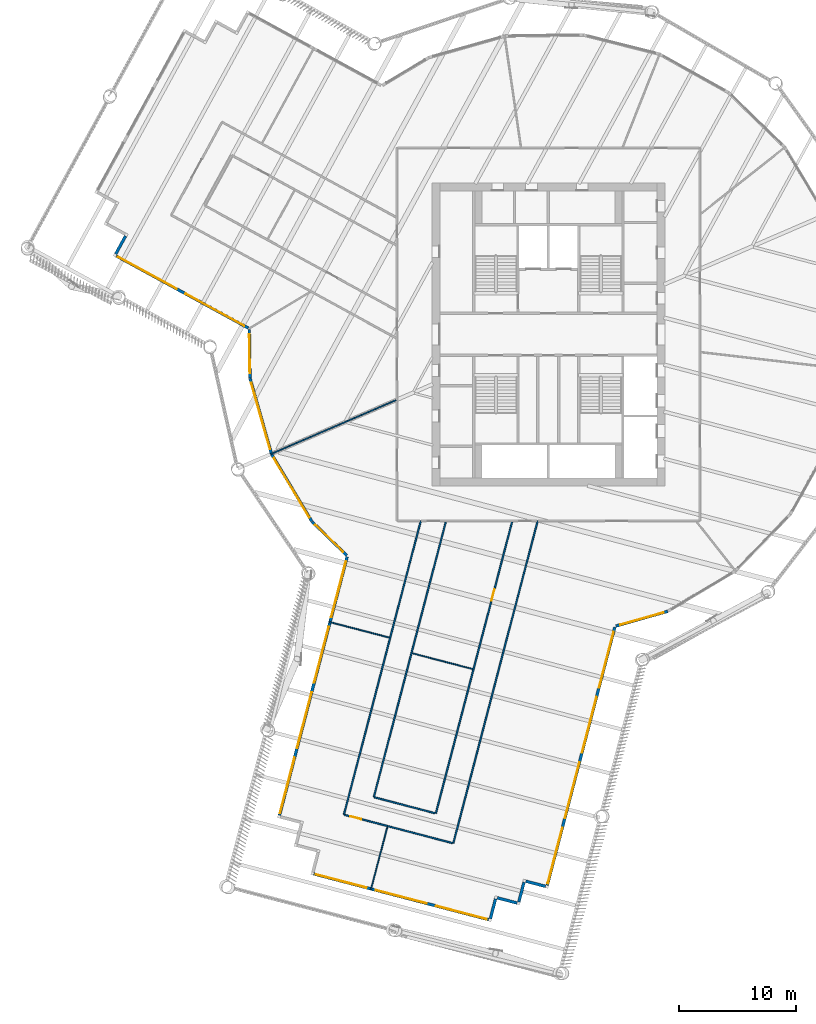
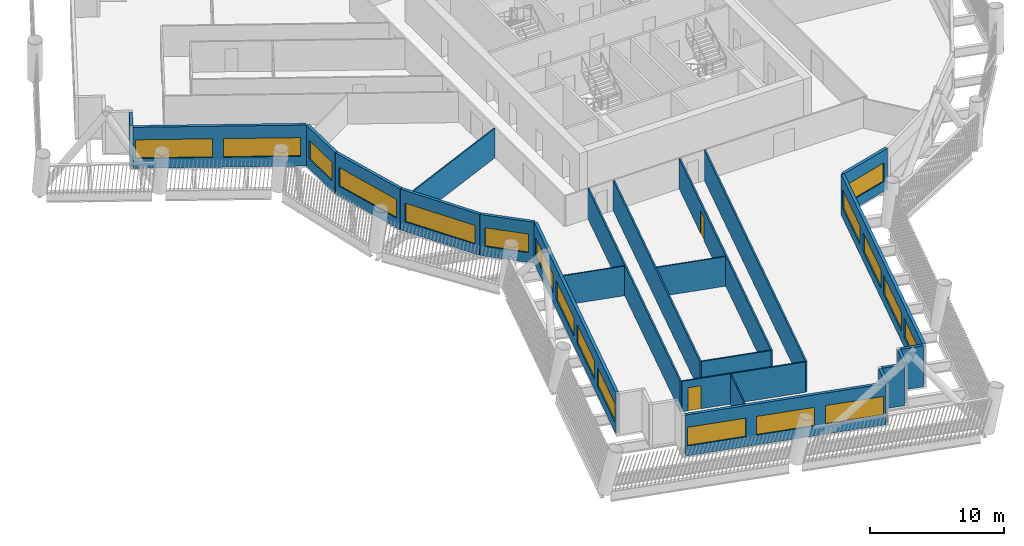
# One storey, part 3 of 24: 24 walls, 18 windows, 2 doors, 20 openings.
"""IFC4 building model written with IfcOpenShell, lengths in metres."""

from ifc_helpers import new_model, si_unit, direction, frame, frame_2d, origin, place, context, subcontext, project, spatial, rectangle, extrude, material, layer, layer_set, type_object, element, fill, save


model = new_model("IFC4")

# Units and contexts
model_context = context("Model", 3, precision=1e-05, world=origin(), true_north=direction((0.0, 1.0)))
body_context = subcontext(model_context, "Body", "Model", "MODEL_VIEW")
ifc_project = project(units=[si_unit("LENGTHUNIT", "METRE"), si_unit("AREAUNIT", "SQUARE_METRE"), si_unit("VOLUMEUNIT", "CUBIC_METRE"), si_unit("PLANEANGLEUNIT", "RADIAN"), si_unit("MASSUNIT", "GRAM", prefix="KILO")], contexts=[model_context])

# Site, building, storey
site_placement = place(None, origin())
site = spatial("IfcSite", under=ifc_project, at=site_placement, CompositionType="ELEMENT")
building_placement = place(site_placement, origin())
building = spatial("IfcBuilding", under=site, at=building_placement, Name="Tarsis Ring Headquarters", CompositionType="ELEMENT")
storey_placement = place(building_placement, frame((0.0, 0.0, 163.199951171875)))
storey = spatial("IfcBuildingStorey", under=building, at=storey_placement, Name="L37", CompositionType="ELEMENT", Elevation=163.199951171875)

# Walls
ifc_material_1 = material(Name="Gypsum board on steel studs", Category="steel")
ifc_layer_1 = layer(ifc_material_1, 0.10009765625)
ifc_layer_set_1 = layer_set([ifc_layer_1], Name="FL partition 100 unrated")
wall_type_1 = type_object("IfcWallType", Name="FL partition 100 unrated", PredefinedType="PARTITIONING", material=ifc_layer_set_1)
wall_1_placement = place(storey_placement, frame((-23.824462890625, -10.2802734375, 0.0), z_axis=(0.0, 0.0, 1.0), x_axis=(0.918165112894, 0.396197962468, 0.0)))
element("IfcWall", 1, at=wall_1_placement, inside=storey, type_object=wall_type_1, Name="Partition PW3", PredefinedType="PARTITIONING", context=body_context, shape_type="SweptSolid", body=[
    extrude(rectangle(XDim=11.709228515625, YDim=0.10009765625, at=frame_2d((5.8544921875, 0.0))), origin(), (0.0, 0.0, 1.0), 2.699951171875),
])
wall_2_placement = place(storey_placement, frame((-11.67333984375, -27.356201171875, 0.0), z_axis=(0.0, 0.0, 1.0), x_axis=(0.967437577181, -0.253109727702, 0.0)))
element("IfcWall", 2, at=wall_2_placement, inside=storey, type_object=wall_type_1, Name="Partition PW3", PredefinedType="PARTITIONING", context=body_context, shape_type="SweptSolid", body=[
    extrude(rectangle(XDim=5.360107421875, YDim=0.10009765625, at=frame_2d((2.68017578125, 0.0))), origin(), (0.0, 0.0, 1.0), 2.699951171875),
])
wall_3_placement = place(storey_placement, frame((-15.224609375, -47.648193359375, 0.0), z_axis=(0.0, 0.0, 1.0), x_axis=(0.253063025173, 0.967449794713, 0.0)))
element("IfcWall", 3, at=wall_3_placement, inside=storey, type_object=wall_type_1, Name="Partition PW3", PredefinedType="PARTITIONING", context=body_context, shape_type="SweptSolid", body=[
    extrude(rectangle(XDim=5.580078125, YDim=0.10009765625, at=frame_2d((2.7900390625, 0.0))), origin(), (0.0, 0.0, 1.0), 2.699951171875),
])
wall_4_placement = place(storey_placement, frame((-18.80419921875, -24.663818359375, 0.0), z_axis=(0.0, 0.0, 1.0), x_axis=(0.967441286047, -0.253095551229, 0.0)))
element("IfcWall", 4, at=wall_4_placement, inside=storey, type_object=wall_type_1, Name="Partition PW3", PredefinedType="PARTITIONING", context=body_context, shape_type="SweptSolid", body=[
    extrude(rectangle(XDim=5.340087890625, YDim=0.10009765625, at=frame_2d((2.669921875, 0.0))), origin(), (0.0, 0.0, 1.0), 2.699951171875),
])
ifc_layer_2 = layer(ifc_material_1, 0.125)
ifc_layer_set_2 = layer_set([ifc_layer_2], Name="FL partition 125 EI 60 H2770")
wall_type_2 = type_object("IfcWallType", Name="FL partition 125 EI 60 H2770", PredefinedType="PARTITIONING", material=ifc_layer_set_2)
wall_5_placement = place(storey_placement, frame((-8.154296875, -43.657470703125, 0.0), z_axis=(0.0, 0.0, 1.0), x_axis=(0.253080621918, 0.967445191631, 0.0)))
element("IfcWall", 5, at=wall_5_placement, inside=storey, type_object=wall_type_2, Name="Partition PW1", PredefinedType="PARTITIONING", context=body_context, shape_type="SweptSolid", body=[
    extrude(rectangle(XDim=28.588134765625, YDim=0.125, at=frame_2d((14.2939453125, 0.0))), origin(), (0.0, 0.0, 1.0), 2.77001953125),
])
wall_6_placement = place(storey_placement, frame((-17.53857421875, -41.20263671875, 0.0), z_axis=(0.0, 0.0, 1.0), x_axis=(0.253074976594, 0.967446668412, 0.0)))
element("IfcWall", 6, at=wall_6_placement, inside=storey, type_object=wall_type_2, Name="Partition PW1", PredefinedType="PARTITIONING", context=body_context, shape_type="SweptSolid", body=[
    extrude(rectangle(XDim=26.05078125, YDim=0.125, at=frame_2d((13.025390625, 0.0))), origin(), (0.0, 0.0, 1.0), 2.77001953125),
])

# Wall, opening, door
wall_7_placement = place(storey_placement, frame((-9.654541015625, -41.094482421875, 0.0), z_axis=(0.0, 0.0, 1.0), x_axis=(0.25308212425, 0.967444798624, 0.0)))
wall_7 = element("IfcWall", 7, at=wall_7_placement, inside=storey, type_object=wall_type_2, Name="Partition PW1", PredefinedType="PARTITIONING", context=body_context, shape_type="SweptSolid", body=[
    extrude(rectangle(XDim=25.85888671875, YDim=0.125, at=frame_2d((12.929443359375, 0.0))), origin(), (0.0, 0.0, 1.0), 2.77001953125),
])
opening_1_placement = place(wall_7_placement, frame((18.861328125, 0.0, 0.0)))
opening_1 = element("IfcOpeningElement", 8, at=opening_1_placement, cuts=wall_7, Name="Opening D37.13", PredefinedType="OPENING", context=body_context, shape_type="SweptSolid", body=[
    extrude(rectangle(XDim=1.0, YDim=2.10009765625, at=frame_2d((0.5, 1.050048828125))), frame((0.0, 0.072509765625, 0.0), z_axis=(0.0, -1.0, 0.0), x_axis=(1.0, 0.0, 0.0)), (0.0, 0.0, 1.0), 0.14501953125),
])
ifc_material_2 = material(Name="Fire-rated timber door leaf in steel frame", Category="steel")
door_type = type_object("IfcDoorType", Name="FL door FD60-1000", OperationType="NOTDEFINED", PredefinedType="DOOR", material=ifc_material_2)
door_1_placement = place(opening_1_placement, origin())
door_1 = element("IfcDoor", 9, at=door_1_placement, inside=storey, type_object=door_type, Name="Door D37.13", OperationType="SINGLE_SWING_RIGHT", OverallHeight=2.10009765625, OverallWidth=1.0, PredefinedType="DOOR", context=body_context, shape_type="SweptSolid", body=[
    extrude(rectangle(XDim=1.0, YDim=2.10009765625, at=frame_2d((0.5, 1.050048828125))), frame((0.0, 0.02490234375, 0.0), z_axis=(0.0, -1.0, 0.0), x_axis=(1.0, 0.0, 0.0)), (0.0, 0.0, 1.0), 0.050048828125),
])
fill(opening_1, door_1)

# Wall
wall_8_placement = place(storey_placement, frame((-14.9755859375, -39.702392578125, 0.0), z_axis=(0.0, 0.0, 1.0), x_axis=(0.253088063655, 0.967443244865, 0.0)))
element("IfcWall", 10, at=wall_8_placement, inside=storey, type_object=wall_type_2, Name="Partition PW1", PredefinedType="PARTITIONING", context=body_context, shape_type="SweptSolid", body=[
    extrude(rectangle(XDim=24.419921875, YDim=0.125, at=frame_2d((12.2099609375, 0.0))), origin(), (0.0, 0.0, 1.0), 2.77001953125),
])

# Wall, opening, door
wall_9_placement = place(storey_placement, frame((-17.480712890625, -41.2177734375, 0.0), z_axis=(0.0, 0.0, 1.0), x_axis=(0.967445200994, -0.253080586125, 0.0)))
wall_9 = element("IfcWall", 11, at=wall_9_placement, inside=storey, type_object=wall_type_2, Name="Partition PW1", PredefinedType="PARTITIONING", context=body_context, shape_type="SweptSolid", body=[
    extrude(rectangle(XDim=9.580078125, YDim=0.125, at=frame_2d((4.7900390625, 0.0))), origin(), (0.0, 0.0, 1.0), 2.77001953125),
])
opening_2_placement = place(wall_9_placement, frame((0.489990234375, 0.0, 0.0)))
opening_2 = element("IfcOpeningElement", 12, at=opening_2_placement, cuts=wall_9, Name="Opening D37.08", PredefinedType="OPENING", context=body_context, shape_type="SweptSolid", body=[
    extrude(rectangle(XDim=1.0, YDim=2.10009765625, at=frame_2d((0.5, 1.050048828125))), frame((0.0, 0.072509765625, 0.0), z_axis=(0.0, -1.0, 0.0), x_axis=(1.0, 0.0, 0.0)), (0.0, 0.0, 1.0), 0.14501953125),
])
door_2_placement = place(opening_2_placement, origin())
door_2 = element("IfcDoor", 13, at=door_2_placement, inside=storey, type_object=door_type, Name="Door D37.08", OperationType="SINGLE_SWING_LEFT", OverallHeight=2.10009765625, OverallWidth=1.0, PredefinedType="DOOR", context=body_context, shape_type="SweptSolid", body=[
    extrude(rectangle(XDim=1.0, YDim=2.10009765625, at=frame_2d((0.5, 1.050048828125))), frame((0.0, 0.02490234375, 0.0), z_axis=(0.0, -1.0, 0.0), x_axis=(1.0, 0.0, 0.0)), (0.0, 0.0, 1.0), 0.050048828125),
])
fill(opening_2, door_2)

# Wall
wall_10_placement = place(storey_placement, frame((-14.91748046875, -39.7177734375, 0.0), z_axis=(0.0, 0.0, 1.0), x_axis=(0.967456117252, -0.253038853126, 0.0)))
element("IfcWall", 14, at=wall_10_placement, inside=storey, type_object=wall_type_2, Name="Partition PW1", PredefinedType="PARTITIONING", context=body_context, shape_type="SweptSolid", body=[
    extrude(rectangle(XDim=5.3798828125, YDim=0.125, at=frame_2d((2.68994140625, 0.0))), origin(), (0.0, 0.0, 1.0), 2.77001953125),
])

# Wall, openings, windows
ifc_material_3 = material(Name="Terracotta clad insulated panel wall", Category="masonry")
ifc_layer_3 = layer(ifc_material_3, 0.25)
ifc_layer_set_3 = layer_set([ifc_layer_3], Name="Facade wall terracotta panel 250")
wall_type_3 = type_object("IfcWallType", Name="Facade wall terracotta panel 250", PredefinedType="STANDARD", material=ifc_layer_set_3)
wall_11_placement = place(storey_placement, frame((-37.0654296875, 6.72607421875, 0.0), z_axis=(0.0, 0.0, 1.0), x_axis=(0.877482963238, -0.479607807721, 0.0)))
wall_11 = element("IfcWall", 15, at=wall_11_placement, inside=storey, type_object=wall_type_3, Name="External wall L37-01", PredefinedType="STANDARD", context=body_context, shape_type="SweptSolid", body=[
    extrude(rectangle(XDim=12.922119140625, YDim=0.25, at=frame_2d((6.4609375, 0.0))), origin(), (0.0, 0.0, 1.0), 3.739990234375),
])
opening_3_placement = place(wall_11_placement, frame((0.16796875, 0.0, 0.89990234375)))
opening_3 = element("IfcOpeningElement", 16, at=opening_3_placement, cuts=wall_11, Name="Opening WN06", PredefinedType="OPENING", context=body_context, shape_type="SweptSolid", body=[
    extrude(rectangle(XDim=5.75, YDim=1.699951171875, at=frame_2d((2.875, 0.85009765625))), frame((0.0, 0.135009765625, 0.0), z_axis=(0.0, -1.0, 0.0), x_axis=(1.0, 0.0, 0.0)), (0.0, 0.0, 1.0), 0.27001953125),
])
opening_4_placement = place(wall_11_placement, frame((6.75390625, 0.0, 0.89990234375)))
opening_4 = element("IfcOpeningElement", 17, at=opening_4_placement, cuts=wall_11, Name="Opening WN06", PredefinedType="OPENING", context=body_context, shape_type="SweptSolid", body=[
    extrude(rectangle(XDim=5.75, YDim=1.699951171875, at=frame_2d((2.875, 0.85009765625))), frame((0.0, 0.135009765625, 0.0), z_axis=(0.0, -1.0, 0.0), x_axis=(1.0, 0.0, 0.0)), (0.0, 0.0, 1.0), 0.27001953125),
])
ifc_material_4 = material(Name="Aluminium framed double glazing", Category="aluminium")
window_type_1 = type_object("IfcWindowType", Name="Facade window 5750 x 1700", PartitioningType="SINGLE_PANEL", PredefinedType="WINDOW", material=ifc_material_4)
window_1_placement = place(opening_3_placement, origin())
window_1 = element("IfcWindow", 18, at=window_1_placement, inside=storey, type_object=window_type_1, Name="Window L37-01.1", OverallHeight=1.699951171875, OverallWidth=5.75, PartitioningType="SINGLE_PANEL", PredefinedType="WINDOW", context=body_context, shape_type="SweptSolid", body=[
    extrude(rectangle(XDim=5.75, YDim=1.699951171875, at=frame_2d((2.875, 0.85009765625))), frame((0.0, 0.030029296875, 0.0), z_axis=(0.0, -1.0, 0.0), x_axis=(1.0, 0.0, 0.0)), (0.0, 0.0, 1.0), 0.06005859375),
])
fill(opening_3, window_1)
window_2_placement = place(opening_4_placement, origin())
window_2 = element("IfcWindow", 19, at=window_2_placement, inside=storey, type_object=window_type_1, Name="Window L37-01.2", OverallHeight=1.699951171875, OverallWidth=5.75, PartitioningType="SINGLE_PANEL", PredefinedType="WINDOW", context=body_context, shape_type="SweptSolid", body=[
    extrude(rectangle(XDim=5.75, YDim=1.699951171875, at=frame_2d((2.875, 0.85009765625))), frame((0.0, 0.030029296875, 0.0), z_axis=(0.0, -1.0, 0.0), x_axis=(1.0, 0.0, 0.0)), (0.0, 0.0, 1.0), 0.06005859375),
])
fill(opening_4, window_2)

# Wall, opening, window
wall_12_placement = place(storey_placement, frame((-25.661376953125, 0.420654296875, 0.0), z_axis=(0.0, 0.0, 1.0), x_axis=(0.014621410751, -0.99989310146, 0.0)))
wall_12 = element("IfcWall", 20, at=wall_12_placement, inside=storey, type_object=wall_type_3, Name="External wall L37-02", PredefinedType="STANDARD", context=body_context, shape_type="SweptSolid", body=[
    extrude(rectangle(XDim=4.15771484375, YDim=0.25, at=frame_2d((2.078857421875, 0.0))), origin(), (0.0, 0.0, 1.0), 3.739990234375),
])
opening_5_placement = place(wall_12_placement, frame((0.420166015625, 0.0, 0.89990234375)))
opening_5 = element("IfcOpeningElement", 21, at=opening_5_placement, cuts=wall_12, Name="Opening WN01", PredefinedType="OPENING", context=body_context, shape_type="SweptSolid", body=[
    extrude(rectangle(XDim=3.35009765625, YDim=1.699951171875, at=frame_2d((1.675048828125, 0.85009765625))), frame((0.0, 0.135009765625, 0.0), z_axis=(0.0, -1.0, 0.0), x_axis=(1.0, 0.0, 0.0)), (0.0, 0.0, 1.0), 0.27001953125),
])
window_type_2 = type_object("IfcWindowType", Name="Facade window 3350 x 1700", PartitioningType="SINGLE_PANEL", PredefinedType="WINDOW", material=ifc_material_4)
window_3_placement = place(opening_5_placement, origin())
window_3 = element("IfcWindow", 22, at=window_3_placement, inside=storey, type_object=window_type_2, Name="Window L37-02.1", OverallHeight=1.699951171875, OverallWidth=3.35009765625, PartitioningType="SINGLE_PANEL", PredefinedType="WINDOW", context=body_context, shape_type="SweptSolid", body=[
    extrude(rectangle(XDim=3.35009765625, YDim=1.699951171875, at=frame_2d((1.675048828125, 0.85009765625))), frame((0.0, 0.030029296875, 0.0), z_axis=(0.0, -1.0, 0.0), x_axis=(1.0, 0.0, 0.0)), (0.0, 0.0, 1.0), 0.06005859375),
])
fill(opening_5, window_3)

wall_13_placement = place(storey_placement, frame((-25.595703125, -3.768798828125, 0.0), z_axis=(0.0, 0.0, 1.0), x_axis=(0.272926460476, -0.962034899144, 0.0)))
wall_13 = element("IfcWall", 23, at=wall_13_placement, inside=storey, type_object=wall_type_3, Name="External wall L37-03", PredefinedType="STANDARD", context=body_context, shape_type="SweptSolid", body=[
    extrude(rectangle(XDim=6.721435546875, YDim=0.25, at=frame_2d((3.36083984375, 0.0))), origin(), (0.0, 0.0, 1.0), 3.739990234375),
])
opening_6_placement = place(wall_13_placement, frame((0.3857421875, 0.0, 0.89990234375)))
opening_6 = element("IfcOpeningElement", 24, at=opening_6_placement, cuts=wall_13, Name="Opening WN07", PredefinedType="OPENING", context=body_context, shape_type="SweptSolid", body=[
    extrude(rectangle(XDim=5.949951171875, YDim=1.699951171875, at=frame_2d((2.97509765625, 0.85009765625))), frame((0.0, 0.135009765625, 0.0), z_axis=(0.0, -1.0, 0.0), x_axis=(1.0, 0.0, 0.0)), (0.0, 0.0, 1.0), 0.27001953125),
])
window_type_3 = type_object("IfcWindowType", Name="Facade window 5950 x 1700", PartitioningType="SINGLE_PANEL", PredefinedType="WINDOW", material=ifc_material_4)
window_4_placement = place(opening_6_placement, origin())
window_4 = element("IfcWindow", 25, at=window_4_placement, inside=storey, type_object=window_type_3, Name="Window L37-03.1", OverallHeight=1.699951171875, OverallWidth=5.949951171875, PartitioningType="SINGLE_PANEL", PredefinedType="WINDOW", context=body_context, shape_type="SweptSolid", body=[
    extrude(rectangle(XDim=5.949951171875, YDim=1.699951171875, at=frame_2d((2.97509765625, 0.85009765625))), frame((0.0, 0.030029296875, 0.0), z_axis=(0.0, -1.0, 0.0), x_axis=(1.0, 0.0, 0.0)), (0.0, 0.0, 1.0), 0.06005859375),
])
fill(opening_6, window_4)

wall_14_placement = place(storey_placement, frame((-23.748291015625, -10.26513671875, 0.0), z_axis=(0.0, 0.0, 1.0), x_axis=(0.512657078288, -0.858593454483, 0.0)))
wall_14 = element("IfcWall", 26, at=wall_14_placement, inside=storey, type_object=wall_type_3, Name="External wall L37-04", PredefinedType="STANDARD", context=body_context, shape_type="SweptSolid", body=[
    extrude(rectangle(XDim=6.721435546875, YDim=0.25, at=frame_2d((3.36083984375, 0.0))), origin(), (0.0, 0.0, 1.0), 3.739990234375),
])
opening_7_placement = place(wall_14_placement, frame((0.3857421875, 0.0, 0.89990234375)))
opening_7 = element("IfcOpeningElement", 27, at=opening_7_placement, cuts=wall_14, Name="Opening WN07", PredefinedType="OPENING", context=body_context, shape_type="SweptSolid", body=[
    extrude(rectangle(XDim=5.949951171875, YDim=1.699951171875, at=frame_2d((2.97509765625, 0.85009765625))), frame((0.0, 0.135009765625, 0.0), z_axis=(0.0, -1.0, 0.0), x_axis=(1.0, 0.0, 0.0)), (0.0, 0.0, 1.0), 0.27001953125),
])
window_5_placement = place(opening_7_placement, origin())
window_5 = element("IfcWindow", 28, at=window_5_placement, inside=storey, type_object=window_type_3, Name="Window L37-04.1", OverallHeight=1.699951171875, OverallWidth=5.949951171875, PartitioningType="SINGLE_PANEL", PredefinedType="WINDOW", context=body_context, shape_type="SweptSolid", body=[
    extrude(rectangle(XDim=5.949951171875, YDim=1.699951171875, at=frame_2d((2.97509765625, 0.85009765625))), frame((0.0, 0.030029296875, 0.0), z_axis=(0.0, -1.0, 0.0), x_axis=(1.0, 0.0, 0.0)), (0.0, 0.0, 1.0), 0.06005859375),
])
fill(opening_7, window_5)

wall_15_placement = place(storey_placement, frame((-20.2822265625, -16.061767578125, 0.0), z_axis=(0.0, 0.0, 1.0), x_axis=(0.717395086707, -0.696666555512, 0.0)))
wall_15 = element("IfcWall", 29, at=wall_15_placement, inside=storey, type_object=wall_type_3, Name="External wall L37-05", PredefinedType="STANDARD", context=body_context, shape_type="SweptSolid", body=[
    extrude(rectangle(XDim=4.15771484375, YDim=0.25, at=frame_2d((2.078857421875, 0.0))), origin(), (0.0, 0.0, 1.0), 3.739990234375),
])
opening_8_placement = place(wall_15_placement, frame((0.38720703125, 0.0, 0.89990234375)))
opening_8 = element("IfcOpeningElement", 30, at=opening_8_placement, cuts=wall_15, Name="Opening WN01", PredefinedType="OPENING", context=body_context, shape_type="SweptSolid", body=[
    extrude(rectangle(XDim=3.35009765625, YDim=1.699951171875, at=frame_2d((1.675048828125, 0.85009765625))), frame((0.0, 0.135009765625, 0.0), z_axis=(0.0, -1.0, 0.0), x_axis=(1.0, 0.0, 0.0)), (0.0, 0.0, 1.0), 0.27001953125),
])
window_6_placement = place(opening_8_placement, origin())
window_6 = element("IfcWindow", 31, at=window_6_placement, inside=storey, type_object=window_type_2, Name="Window L37-05.1", OverallHeight=1.699951171875, OverallWidth=3.35009765625, PartitioningType="SINGLE_PANEL", PredefinedType="WINDOW", context=body_context, shape_type="SweptSolid", body=[
    extrude(rectangle(XDim=3.35009765625, YDim=1.699951171875, at=frame_2d((1.675048828125, 0.85009765625))), frame((0.0, 0.030029296875, 0.0), z_axis=(0.0, -1.0, 0.0), x_axis=(1.0, 0.0, 0.0)), (0.0, 0.0, 1.0), 0.06005859375),
])
fill(opening_8, window_6)

# Wall, openings, windows
wall_16_placement = place(storey_placement, frame((-17.265869140625, -19.07958984375, 0.0), z_axis=(0.0, 0.0, 1.0), x_axis=(-0.253079583542, -0.967445463266, 0.0)))
wall_16 = element("IfcWall", 32, at=wall_16_placement, inside=storey, type_object=wall_type_3, Name="External wall L37-06", PredefinedType="STANDARD", context=body_context, shape_type="SweptSolid", body=[
    extrude(rectangle(XDim=22.921630859375, YDim=0.25, at=frame_2d((11.4609375, 0.0))), origin(), (0.0, 0.0, 1.0), 3.739990234375),
])
opening_9_placement = place(wall_16_placement, frame((0.42138671875, 0.0, 0.89990234375)))
opening_9 = element("IfcOpeningElement", 33, at=opening_9_placement, cuts=wall_16, Name="Opening WN05", PredefinedType="OPENING", context=body_context, shape_type="SweptSolid", body=[
    extrude(rectangle(XDim=4.949951171875, YDim=1.699951171875, at=frame_2d((2.47509765625, 0.85009765625))), frame((0.0, 0.135009765625, 0.0), z_axis=(0.0, -1.0, 0.0), x_axis=(1.0, 0.0, 0.0)), (0.0, 0.0, 1.0), 0.27001953125),
])
opening_10_placement = place(wall_16_placement, frame((6.214599609375, 0.0, 0.89990234375)))
opening_10 = element("IfcOpeningElement", 34, at=opening_10_placement, cuts=wall_16, Name="Opening WN05", PredefinedType="OPENING", context=body_context, shape_type="SweptSolid", body=[
    extrude(rectangle(XDim=4.949951171875, YDim=1.699951171875, at=frame_2d((2.47509765625, 0.85009765625))), frame((0.0, 0.135009765625, 0.0), z_axis=(0.0, -1.0, 0.0), x_axis=(1.0, 0.0, 0.0)), (0.0, 0.0, 1.0), 0.27001953125),
])
opening_11_placement = place(wall_16_placement, frame((12.007568359375, 0.0, 0.89990234375)))
opening_11 = element("IfcOpeningElement", 35, at=opening_11_placement, cuts=wall_16, Name="Opening WN05", PredefinedType="OPENING", context=body_context, shape_type="SweptSolid", body=[
    extrude(rectangle(XDim=4.949951171875, YDim=1.699951171875, at=frame_2d((2.47509765625, 0.85009765625))), frame((0.0, 0.135009765625, 0.0), z_axis=(0.0, -1.0, 0.0), x_axis=(1.0, 0.0, 0.0)), (0.0, 0.0, 1.0), 0.27001953125),
])
opening_12_placement = place(wall_16_placement, frame((17.800537109375, 0.0, 0.89990234375)))
opening_12 = element("IfcOpeningElement", 36, at=opening_12_placement, cuts=wall_16, Name="Opening WN05", PredefinedType="OPENING", context=body_context, shape_type="SweptSolid", body=[
    extrude(rectangle(XDim=4.949951171875, YDim=1.699951171875, at=frame_2d((2.47509765625, 0.85009765625))), frame((0.0, 0.135009765625, 0.0), z_axis=(0.0, -1.0, 0.0), x_axis=(1.0, 0.0, 0.0)), (0.0, 0.0, 1.0), 0.27001953125),
])
window_type_4 = type_object("IfcWindowType", Name="Facade window 4950 x 1700", PartitioningType="SINGLE_PANEL", PredefinedType="WINDOW", material=ifc_material_4)
window_7_placement = place(opening_9_placement, origin())
window_7 = element("IfcWindow", 37, at=window_7_placement, inside=storey, type_object=window_type_4, Name="Window L37-06.1", OverallHeight=1.699951171875, OverallWidth=4.949951171875, PartitioningType="SINGLE_PANEL", PredefinedType="WINDOW", context=body_context, shape_type="SweptSolid", body=[
    extrude(rectangle(XDim=4.949951171875, YDim=1.699951171875, at=frame_2d((2.47509765625, 0.85009765625))), frame((0.0, 0.030029296875, 0.0), z_axis=(0.0, -1.0, 0.0), x_axis=(1.0, 0.0, 0.0)), (0.0, 0.0, 1.0), 0.06005859375),
])
fill(opening_9, window_7)
window_8_placement = place(opening_10_placement, origin())
window_8 = element("IfcWindow", 38, at=window_8_placement, inside=storey, type_object=window_type_4, Name="Window L37-06.2", OverallHeight=1.699951171875, OverallWidth=4.949951171875, PartitioningType="SINGLE_PANEL", PredefinedType="WINDOW", context=body_context, shape_type="SweptSolid", body=[
    extrude(rectangle(XDim=4.949951171875, YDim=1.699951171875, at=frame_2d((2.47509765625, 0.85009765625))), frame((0.0, 0.030029296875, 0.0), z_axis=(0.0, -1.0, 0.0), x_axis=(1.0, 0.0, 0.0)), (0.0, 0.0, 1.0), 0.06005859375),
])
fill(opening_10, window_8)
window_9_placement = place(opening_11_placement, origin())
window_9 = element("IfcWindow", 39, at=window_9_placement, inside=storey, type_object=window_type_4, Name="Window L37-06.3", OverallHeight=1.699951171875, OverallWidth=4.949951171875, PartitioningType="SINGLE_PANEL", PredefinedType="WINDOW", context=body_context, shape_type="SweptSolid", body=[
    extrude(rectangle(XDim=4.949951171875, YDim=1.699951171875, at=frame_2d((2.47509765625, 0.85009765625))), frame((0.0, 0.030029296875, 0.0), z_axis=(0.0, -1.0, 0.0), x_axis=(1.0, 0.0, 0.0)), (0.0, 0.0, 1.0), 0.06005859375),
])
fill(opening_11, window_9)
window_10_placement = place(opening_12_placement, origin())
window_10 = element("IfcWindow", 40, at=window_10_placement, inside=storey, type_object=window_type_4, Name="Window L37-06.4", OverallHeight=1.699951171875, OverallWidth=4.949951171875, PartitioningType="SINGLE_PANEL", PredefinedType="WINDOW", context=body_context, shape_type="SweptSolid", body=[
    extrude(rectangle(XDim=4.949951171875, YDim=1.699951171875, at=frame_2d((2.47509765625, 0.85009765625))), frame((0.0, 0.030029296875, 0.0), z_axis=(0.0, -1.0, 0.0), x_axis=(1.0, 0.0, 0.0)), (0.0, 0.0, 1.0), 0.06005859375),
])
fill(opening_12, window_10)

wall_17_placement = place(storey_placement, frame((-20.1201171875, -46.289794921875, 0.0), z_axis=(0.0, 0.0, 1.0), x_axis=(0.967443419865, -0.253087394708, 0.0)))
wall_17 = element("IfcWall", 41, at=wall_17_placement, inside=storey, type_object=wall_type_3, Name="External wall L37-11", PredefinedType="STANDARD", context=body_context, shape_type="SweptSolid", body=[
    extrude(rectangle(XDim=15.5, YDim=0.25, at=frame_2d((7.75, 0.0))), origin(), (0.0, 0.0, 1.0), 3.739990234375),
])
opening_13_placement = place(wall_17_placement, frame((0.166748046875, 0.0, 0.89990234375)))
opening_13 = element("IfcOpeningElement", 42, at=opening_13_placement, cuts=wall_17, Name="Opening WN04", PredefinedType="OPENING", context=body_context, shape_type="SweptSolid", body=[
    extrude(rectangle(XDim=4.5, YDim=1.699951171875, at=frame_2d((2.25, 0.85009765625))), frame((0.0, 0.135009765625, 0.0), z_axis=(0.0, -1.0, 0.0), x_axis=(1.0, 0.0, 0.0)), (0.0, 0.0, 1.0), 0.27001953125),
])
opening_14_placement = place(wall_17_placement, frame((5.5, 0.0, 0.89990234375)))
opening_14 = element("IfcOpeningElement", 43, at=opening_14_placement, cuts=wall_17, Name="Opening WN04", PredefinedType="OPENING", context=body_context, shape_type="SweptSolid", body=[
    extrude(rectangle(XDim=4.5, YDim=1.699951171875, at=frame_2d((2.25, 0.85009765625))), frame((0.0, 0.135009765625, 0.0), z_axis=(0.0, -1.0, 0.0), x_axis=(1.0, 0.0, 0.0)), (0.0, 0.0, 1.0), 0.27001953125),
])
opening_15_placement = place(wall_17_placement, frame((10.833251953125, 0.0, 0.89990234375)))
opening_15 = element("IfcOpeningElement", 44, at=opening_15_placement, cuts=wall_17, Name="Opening WN04", PredefinedType="OPENING", context=body_context, shape_type="SweptSolid", body=[
    extrude(rectangle(XDim=4.5, YDim=1.699951171875, at=frame_2d((2.25, 0.85009765625))), frame((0.0, 0.135009765625, 0.0), z_axis=(0.0, -1.0, 0.0), x_axis=(1.0, 0.0, 0.0)), (0.0, 0.0, 1.0), 0.27001953125),
])
window_type_5 = type_object("IfcWindowType", Name="Facade window 4500 x 1700", PartitioningType="SINGLE_PANEL", PredefinedType="WINDOW", material=ifc_material_4)
window_11_placement = place(opening_13_placement, origin())
window_11 = element("IfcWindow", 45, at=window_11_placement, inside=storey, type_object=window_type_5, Name="Window L37-11.1", OverallHeight=1.699951171875, OverallWidth=4.5, PartitioningType="SINGLE_PANEL", PredefinedType="WINDOW", context=body_context, shape_type="SweptSolid", body=[
    extrude(rectangle(XDim=4.5, YDim=1.699951171875, at=frame_2d((2.25, 0.85009765625))), frame((0.0, 0.030029296875, 0.0), z_axis=(0.0, -1.0, 0.0), x_axis=(1.0, 0.0, 0.0)), (0.0, 0.0, 1.0), 0.06005859375),
])
fill(opening_13, window_11)
window_12_placement = place(opening_14_placement, origin())
window_12 = element("IfcWindow", 46, at=window_12_placement, inside=storey, type_object=window_type_5, Name="Window L37-11.2", OverallHeight=1.699951171875, OverallWidth=4.5, PartitioningType="SINGLE_PANEL", PredefinedType="WINDOW", context=body_context, shape_type="SweptSolid", body=[
    extrude(rectangle(XDim=4.5, YDim=1.699951171875, at=frame_2d((2.25, 0.85009765625))), frame((0.0, 0.030029296875, 0.0), z_axis=(0.0, -1.0, 0.0), x_axis=(1.0, 0.0, 0.0)), (0.0, 0.0, 1.0), 0.06005859375),
])
fill(opening_14, window_12)
window_13_placement = place(opening_15_placement, origin())
window_13 = element("IfcWindow", 47, at=window_13_placement, inside=storey, type_object=window_type_5, Name="Window L37-11.3", OverallHeight=1.699951171875, OverallWidth=4.5, PartitioningType="SINGLE_PANEL", PredefinedType="WINDOW", context=body_context, shape_type="SweptSolid", body=[
    extrude(rectangle(XDim=4.5, YDim=1.699951171875, at=frame_2d((2.25, 0.85009765625))), frame((0.0, 0.030029296875, 0.0), z_axis=(0.0, -1.0, 0.0), x_axis=(1.0, 0.0, 0.0)), (0.0, 0.0, 1.0), 0.06005859375),
])
fill(opening_15, window_13)

# Walls
for number, where, z_axis, x_axis, name in (
    (48, (-4.97216796875, -50.123291015625, 0.0), (0.0, 0.0, 1.0), (0.253092033768, 0.967442206255, 0.0), "External wall L37-12"),
    (49, (-4.376708984375, -48.341064453125, 0.0), (0.0, 0.0, 1.0), (0.967442206255, -0.253092033768, 0.0), "External wall L37-13"),
    (50, (-2.53125, -48.694580078125, 0.0), (0.0, 0.0, 1.0), (0.253092033768, 0.967442206255, 0.0), "External wall L37-14"),
):
    element("IfcWall", number, at=place(storey_placement, frame(where, z_axis=z_axis, x_axis=x_axis)), inside=storey, type_object=wall_type_3, Name=name, PredefinedType="STANDARD", context=body_context, shape_type="SweptSolid", body=[
        extrude(rectangle(XDim=1.749755859375, YDim=0.25, at=frame_2d((0.875, 0.0))), origin(), (0.0, 0.0, 1.0), 3.739990234375),
    ])
wall_18_placement = place(storey_placement, frame((-1.935791015625, -46.912353515625, 0.0), z_axis=(0.0, 0.0, 1.0), x_axis=(0.967451141577, -0.25305787611, 0.0)))
element("IfcWall", 51, at=wall_18_placement, inside=storey, type_object=wall_type_3, Name="External wall L37-15", PredefinedType="STANDARD", context=body_context, shape_type="SweptSolid", body=[
    extrude(rectangle(XDim=1.75, YDim=0.25, at=frame_2d((0.875, 0.0))), origin(), (0.0, 0.0, 1.0), 3.739990234375),
])

# Wall, openings, windows
wall_19_placement = place(storey_placement, frame((-0.090087890625, -47.265869140625, 0.0), z_axis=(0.0, 0.0, 1.0), x_axis=(0.253081471856, 0.967444969289, 0.0)))
wall_19 = element("IfcWall", 52, at=wall_19_placement, inside=storey, type_object=wall_type_3, Name="External wall L37-16", PredefinedType="STANDARD", context=body_context, shape_type="SweptSolid", body=[
    extrude(rectangle(XDim=22.9013671875, YDim=0.25, at=frame_2d((11.45068359375, 0.0))), origin(), (0.0, 0.0, 1.0), 3.739990234375),
])
opening_16_placement = place(wall_19_placement, frame((0.1689453125, 0.0, 0.89990234375)))
opening_16 = element("IfcOpeningElement", 53, at=opening_16_placement, cuts=wall_19, Name="Opening WN05", PredefinedType="OPENING", context=body_context, shape_type="SweptSolid", body=[
    extrude(rectangle(XDim=4.949951171875, YDim=1.699951171875, at=frame_2d((2.47509765625, 0.85009765625))), frame((0.0, 0.135009765625, 0.0), z_axis=(0.0, -1.0, 0.0), x_axis=(1.0, 0.0, 0.0)), (0.0, 0.0, 1.0), 0.27001953125),
])
opening_17_placement = place(wall_19_placement, frame((5.956787109375, 0.0, 0.89990234375)))
opening_17 = element("IfcOpeningElement", 54, at=opening_17_placement, cuts=wall_19, Name="Opening WN05", PredefinedType="OPENING", context=body_context, shape_type="SweptSolid", body=[
    extrude(rectangle(XDim=4.949951171875, YDim=1.699951171875, at=frame_2d((2.47509765625, 0.85009765625))), frame((0.0, 0.135009765625, 0.0), z_axis=(0.0, -1.0, 0.0), x_axis=(1.0, 0.0, 0.0)), (0.0, 0.0, 1.0), 0.27001953125),
])
opening_18_placement = place(wall_19_placement, frame((11.74462890625, 0.0, 0.89990234375)))
opening_18 = element("IfcOpeningElement", 55, at=opening_18_placement, cuts=wall_19, Name="Opening WN05", PredefinedType="OPENING", context=body_context, shape_type="SweptSolid", body=[
    extrude(rectangle(XDim=4.949951171875, YDim=1.699951171875, at=frame_2d((2.47509765625, 0.85009765625))), frame((0.0, 0.135009765625, 0.0), z_axis=(0.0, -1.0, 0.0), x_axis=(1.0, 0.0, 0.0)), (0.0, 0.0, 1.0), 0.27001953125),
])
opening_19_placement = place(wall_19_placement, frame((17.532470703125, 0.0, 0.89990234375)))
opening_19 = element("IfcOpeningElement", 56, at=opening_19_placement, cuts=wall_19, Name="Opening WN05", PredefinedType="OPENING", context=body_context, shape_type="SweptSolid", body=[
    extrude(rectangle(XDim=4.949951171875, YDim=1.699951171875, at=frame_2d((2.47509765625, 0.85009765625))), frame((0.0, 0.135009765625, 0.0), z_axis=(0.0, -1.0, 0.0), x_axis=(1.0, 0.0, 0.0)), (0.0, 0.0, 1.0), 0.27001953125),
])
window_14_placement = place(opening_16_placement, origin())
window_14 = element("IfcWindow", 57, at=window_14_placement, inside=storey, type_object=window_type_4, Name="Window L37-16.1", OverallHeight=1.699951171875, OverallWidth=4.949951171875, PartitioningType="SINGLE_PANEL", PredefinedType="WINDOW", context=body_context, shape_type="SweptSolid", body=[
    extrude(rectangle(XDim=4.949951171875, YDim=1.699951171875, at=frame_2d((2.47509765625, 0.85009765625))), frame((0.0, 0.030029296875, 0.0), z_axis=(0.0, -1.0, 0.0), x_axis=(1.0, 0.0, 0.0)), (0.0, 0.0, 1.0), 0.06005859375),
])
fill(opening_16, window_14)
window_15_placement = place(opening_17_placement, origin())
window_15 = element("IfcWindow", 58, at=window_15_placement, inside=storey, type_object=window_type_4, Name="Window L37-16.2", OverallHeight=1.699951171875, OverallWidth=4.949951171875, PartitioningType="SINGLE_PANEL", PredefinedType="WINDOW", context=body_context, shape_type="SweptSolid", body=[
    extrude(rectangle(XDim=4.949951171875, YDim=1.699951171875, at=frame_2d((2.47509765625, 0.85009765625))), frame((0.0, 0.030029296875, 0.0), z_axis=(0.0, -1.0, 0.0), x_axis=(1.0, 0.0, 0.0)), (0.0, 0.0, 1.0), 0.06005859375),
])
fill(opening_17, window_15)
window_16_placement = place(opening_18_placement, origin())
window_16 = element("IfcWindow", 59, at=window_16_placement, inside=storey, type_object=window_type_4, Name="Window L37-16.3", OverallHeight=1.699951171875, OverallWidth=4.949951171875, PartitioningType="SINGLE_PANEL", PredefinedType="WINDOW", context=body_context, shape_type="SweptSolid", body=[
    extrude(rectangle(XDim=4.949951171875, YDim=1.699951171875, at=frame_2d((2.47509765625, 0.85009765625))), frame((0.0, 0.030029296875, 0.0), z_axis=(0.0, -1.0, 0.0), x_axis=(1.0, 0.0, 0.0)), (0.0, 0.0, 1.0), 0.06005859375),
])
fill(opening_18, window_16)
window_17_placement = place(opening_19_placement, origin())
window_17 = element("IfcWindow", 60, at=window_17_placement, inside=storey, type_object=window_type_4, Name="Window L37-16.4", OverallHeight=1.699951171875, OverallWidth=4.949951171875, PartitioningType="SINGLE_PANEL", PredefinedType="WINDOW", context=body_context, shape_type="SweptSolid", body=[
    extrude(rectangle(XDim=4.949951171875, YDim=1.699951171875, at=frame_2d((2.47509765625, 0.85009765625))), frame((0.0, 0.030029296875, 0.0), z_axis=(0.0, -1.0, 0.0), x_axis=(1.0, 0.0, 0.0)), (0.0, 0.0, 1.0), 0.06005859375),
])
fill(opening_19, window_17)

# Wall, opening, window
wall_20_placement = place(storey_placement, frame((5.792724609375, -25.021484375, 0.0), z_axis=(0.0, 0.0, 1.0), x_axis=(0.962037001911, 0.272919048355, 0.0)))
wall_20 = element("IfcWall", 61, at=wall_20_placement, inside=storey, type_object=wall_type_3, Name="External wall L37-17", PredefinedType="STANDARD", context=body_context, shape_type="SweptSolid", body=[
    extrude(rectangle(XDim=4.61767578125, YDim=0.25, at=frame_2d((2.308837890625, 0.0))), origin(), (0.0, 0.0, 1.0), 3.739990234375),
])
opening_20_placement = place(wall_20_placement, frame((0.400390625, 0.0, 0.89990234375)))
opening_20 = element("IfcOpeningElement", 62, at=opening_20_placement, cuts=wall_20, Name="Opening WN02", PredefinedType="OPENING", context=body_context, shape_type="SweptSolid", body=[
    extrude(rectangle(XDim=3.85009765625, YDim=1.699951171875, at=frame_2d((1.925048828125, 0.85009765625))), frame((0.0, 0.135009765625, 0.0), z_axis=(0.0, -1.0, 0.0), x_axis=(1.0, 0.0, 0.0)), (0.0, 0.0, 1.0), 0.27001953125),
])
window_type_6 = type_object("IfcWindowType", Name="Facade window 3850 x 1700", PartitioningType="SINGLE_PANEL", PredefinedType="WINDOW", material=ifc_material_4)
window_18_placement = place(opening_20_placement, origin())
window_18 = element("IfcWindow", 63, at=window_18_placement, inside=storey, type_object=window_type_6, Name="Window L37-17.1", OverallHeight=1.699951171875, OverallWidth=3.85009765625, PartitioningType="SINGLE_PANEL", PredefinedType="WINDOW", context=body_context, shape_type="SweptSolid", body=[
    extrude(rectangle(XDim=3.85009765625, YDim=1.699951171875, at=frame_2d((1.925048828125, 0.85009765625))), frame((0.0, 0.030029296875, 0.0), z_axis=(0.0, -1.0, 0.0), x_axis=(1.0, 0.0, 0.0)), (0.0, 0.0, 1.0), 0.06005859375),
])
fill(opening_20, window_18)

# Wall
wall_21_placement = place(storey_placement, frame((-36.275634765625, 8.43115234375, 0.0), z_axis=(0.0, 0.0, 1.0), x_axis=(-0.479673050927, -0.877447299964, 0.0)))
element("IfcWall", 64, at=wall_21_placement, inside=storey, type_object=wall_type_3, Name="External wall L37-40", PredefinedType="STANDARD", context=body_context, shape_type="SweptSolid", body=[
    extrude(rectangle(XDim=1.749755859375, YDim=0.25, at=frame_2d((0.875, 0.0))), origin(), (0.0, 0.0, 1.0), 3.739990234375),
])

save(model, "model.ifc")
